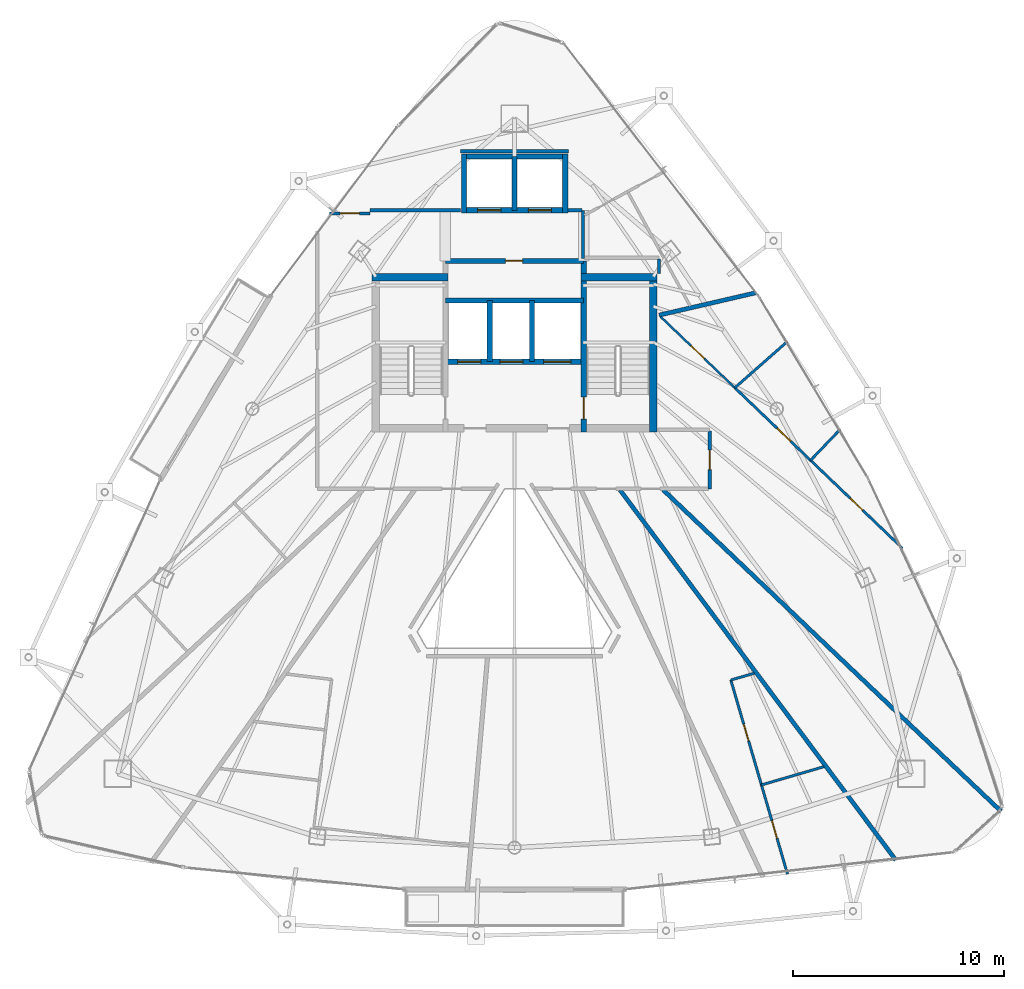
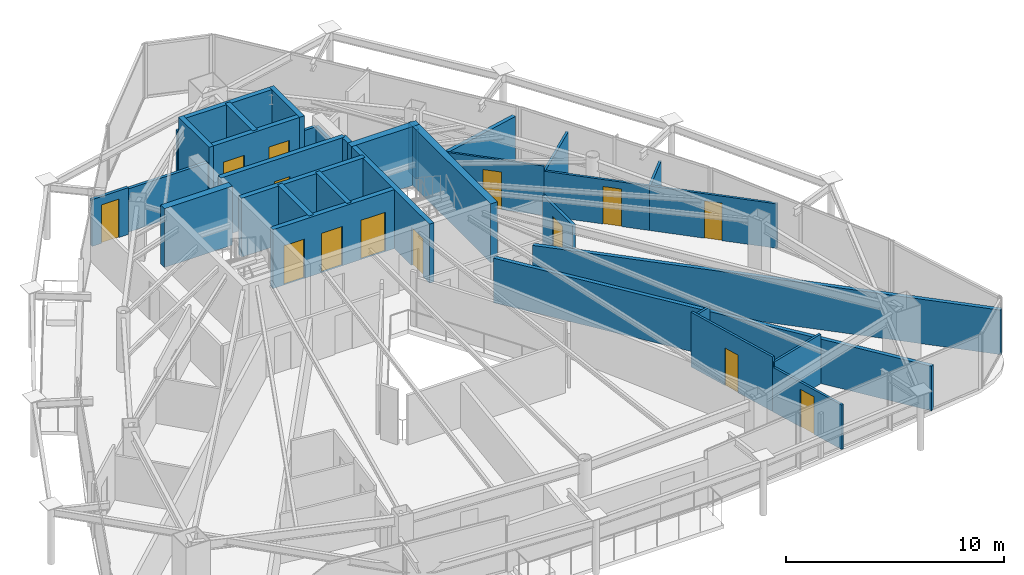
# One storey, part 28 of 32: 33 walls, 14 doors, 14 openings.
"""IFC4 building model written with IfcOpenShell, lengths in metres."""

from ifc_helpers import new_model, si_unit, direction, frame, frame_2d, origin, place, context, subcontext, project, spatial, rectangle, extrude, material, layer, layer_set, type_object, element, fill, save


model = new_model("IFC4")

# Units and contexts
model_context = context("Model", 3, precision=1e-05, world=origin(), true_north=direction((0.0, 1.0)))
body_context = subcontext(model_context, "Body", "Model", "MODEL_VIEW")
ifc_project = project(units=[si_unit("LENGTHUNIT", "METRE"), si_unit("AREAUNIT", "SQUARE_METRE"), si_unit("VOLUMEUNIT", "CUBIC_METRE"), si_unit("PLANEANGLEUNIT", "RADIAN"), si_unit("MASSUNIT", "GRAM", prefix="KILO")], contexts=[model_context])

# Site, building, storey
site_placement = place(None, origin())
site = spatial("IfcSite", under=ifc_project, at=site_placement, CompositionType="ELEMENT")
building_placement = place(site_placement, origin())
building = spatial("IfcBuilding", under=site, at=building_placement, Name="Orvanel Arch Residences", CompositionType="ELEMENT")
storey_placement = place(building_placement, frame((0.0, 0.0, 222.800048828125)))
storey = spatial("IfcBuildingStorey", under=building, at=storey_placement, Name="L63", CompositionType="ELEMENT", Elevation=222.800048828125)

# Wall, opening, door
ifc_material_1 = material(Name="Concrete N50 (50 MPa)", Category="concrete")
ifc_layer_1 = layer(ifc_material_1, 0.25)
ifc_layer_set_1 = layer_set([ifc_layer_1], Name="Concrete N50 (50 MPa)")
wall_type_1 = type_object("IfcWallType", Name="SW-CORE-250", PredefinedType="SHEAR", material=ifc_layer_set_1)
wall_1_placement = place(storey_placement, frame((36.27490234375, 26.550048828125, 0.0), z_axis=(0.0, 0.0, 1.0), x_axis=(0.0, 1.0, 0.0)))
wall_1 = element("IfcWall", 1, at=wall_1_placement, inside=storey, type_object=wall_type_1, Name="L63 East Inner Core Spine Shear Wall", PredefinedType="SHEAR", context=body_context, shape_type="SweptSolid", body=[
    extrude(rectangle(XDim=8.099853515625, YDim=0.25, at=frame_2d((4.0498046875, 0.0))), origin(), (0.0, 0.0, 1.0), 3.300048828125),
])
opening_1_placement = place(wall_1_placement, frame((0.60009765625, 0.0, 0.0)))
opening_1 = element("IfcOpeningElement", 2, at=opening_1_placement, cuts=wall_1, Name="Opening DF-120", PredefinedType="OPENING", context=body_context, shape_type="SweptSolid", body=[
    extrude(rectangle(XDim=1.050048828125, YDim=2.14990234375, at=frame_2d((0.52490234375, 1.074951171875))), frame((0.0, 0.135009765625, 0.0), z_axis=(0.0, -1.0, 0.0), x_axis=(1.0, 0.0, 0.0)), (0.0, 0.0, 1.0), 0.27001953125),
])
ifc_material_2 = material(Name="Galvanised steel fire-resisting door assembly", Category="steel")
door_type_1 = type_object("IfcDoorType", Name="DR-FD120-1050", OperationType="NOTDEFINED", PredefinedType="DOOR", material=ifc_material_2)
door_1_placement = place(opening_1_placement, origin())
door_1 = element("IfcDoor", 3, at=door_1_placement, inside=storey, type_object=door_type_1, Name="DR-L63-ST2 L63 Stair 2 Fire Door", OperationType="SINGLE_SWING_RIGHT", OverallHeight=2.14990234375, OverallWidth=1.050048828125, PredefinedType="DOOR", context=body_context, shape_type="SweptSolid", body=[
    extrude(rectangle(XDim=1.050048828125, YDim=2.14990234375, at=frame_2d((0.52490234375, 1.074951171875))), frame((0.0, 0.02490234375, 0.0), z_axis=(0.0, -1.0, 0.0), x_axis=(1.0, 0.0, 0.0)), (0.0, 0.0, 1.0), 0.050048828125),
])
fill(opening_1, door_1)

# Wall, openings, doors
wall_2_placement = place(storey_placement, frame((36.27490234375, 29.875, 0.0), z_axis=(0.0, 0.0, 1.0), x_axis=(-1.0, 0.0, 0.0)))
wall_2 = element("IfcWall", 4, at=wall_2_placement, inside=storey, type_object=wall_type_1, Name="L63 Emergency Lift Front Core Shear Wall", PredefinedType="SHEAR", context=body_context, shape_type="SweptSolid", body=[
    extrude(rectangle(XDim=6.5498046875, YDim=0.25, at=frame_2d((3.27490234375, 0.0))), origin(), (0.0, 0.0, 1.0), 3.300048828125),
])
opening_2_placement = place(wall_2_placement, frame((4.875, 0.0, 0.0)))
opening_2 = element("IfcOpeningElement", 5, at=opening_2_placement, cuts=wall_2, Name="Opening LD-110", PredefinedType="OPENING", context=body_context, shape_type="SweptSolid", body=[
    extrude(rectangle(XDim=1.10009765625, YDim=2.199951171875, at=frame_2d((0.550048828125, 1.10009765625))), frame((0.0, 0.135009765625, 0.0), z_axis=(0.0, -1.0, 0.0), x_axis=(1.0, 0.0, 0.0)), (0.0, 0.0, 1.0), 0.27001953125),
])
opening_3_placement = place(wall_2_placement, frame((2.875, 0.0, 0.0)))
opening_3 = element("IfcOpeningElement", 6, at=opening_3_placement, cuts=wall_2, Name="Opening LD-110", PredefinedType="OPENING", context=body_context, shape_type="SweptSolid", body=[
    extrude(rectangle(XDim=1.10009765625, YDim=2.199951171875, at=frame_2d((0.550048828125, 1.10009765625))), frame((0.0, 0.135009765625, 0.0), z_axis=(0.0, -1.0, 0.0), x_axis=(1.0, 0.0, 0.0)), (0.0, 0.0, 1.0), 0.27001953125),
])
opening_4_placement = place(wall_2_placement, frame((0.60009765625, 0.0, 0.0)))
opening_4 = element("IfcOpeningElement", 7, at=opening_4_placement, cuts=wall_2, Name="Opening LD-130", PredefinedType="OPENING", context=body_context, shape_type="SweptSolid", body=[
    extrude(rectangle(XDim=1.300048828125, YDim=2.199951171875, at=frame_2d((0.64990234375, 1.10009765625))), frame((0.0, 0.135009765625, 0.0), z_axis=(0.0, -1.0, 0.0), x_axis=(1.0, 0.0, 0.0)), (0.0, 0.0, 1.0), 0.27001953125),
])
door_type_2 = type_object("IfcDoorType", Name="DR-LFT-1100", OperationType="NOTDEFINED", PredefinedType="DOOR", material=ifc_material_2)
door_2_placement = place(opening_2_placement, origin())
door_2 = element("IfcDoor", 8, at=door_2_placement, inside=storey, type_object=door_type_2, Name="LD-F1-L63 L63 Lift F1 Sliding Landing Door", OperationType="DOUBLE_DOOR_SLIDING", OverallHeight=2.199951171875, OverallWidth=1.10009765625, PredefinedType="DOOR", context=body_context, shape_type="SweptSolid", body=[
    extrude(rectangle(XDim=1.10009765625, YDim=2.199951171875, at=frame_2d((0.550048828125, 1.10009765625))), frame((0.0, 0.02490234375, 0.0), z_axis=(0.0, -1.0, 0.0), x_axis=(1.0, 0.0, 0.0)), (0.0, 0.0, 1.0), 0.050048828125),
])
fill(opening_2, door_2)
door_3_placement = place(opening_3_placement, origin())
door_3 = element("IfcDoor", 9, at=door_3_placement, inside=storey, type_object=door_type_2, Name="LD-F2-L63 L63 Lift F2 Sliding Landing Door", OperationType="DOUBLE_DOOR_SLIDING", OverallHeight=2.199951171875, OverallWidth=1.10009765625, PredefinedType="DOOR", context=body_context, shape_type="SweptSolid", body=[
    extrude(rectangle(XDim=1.10009765625, YDim=2.199951171875, at=frame_2d((0.550048828125, 1.10009765625))), frame((0.0, 0.02490234375, 0.0), z_axis=(0.0, -1.0, 0.0), x_axis=(1.0, 0.0, 0.0)), (0.0, 0.0, 1.0), 0.050048828125),
])
fill(opening_3, door_3)
door_type_3 = type_object("IfcDoorType", Name="DR-LFT-1300", OperationType="NOTDEFINED", PredefinedType="DOOR", material=ifc_material_2)
door_4_placement = place(opening_4_placement, origin())
door_4 = element("IfcDoor", 10, at=door_4_placement, inside=storey, type_object=door_type_3, Name="LD-G1-L63 L63 Lift G1 Sliding Landing Door", OperationType="DOUBLE_DOOR_SLIDING", OverallHeight=2.199951171875, OverallWidth=1.300048828125, PredefinedType="DOOR", context=body_context, shape_type="SweptSolid", body=[
    extrude(rectangle(XDim=1.300048828125, YDim=2.199951171875, at=frame_2d((0.64990234375, 1.10009765625))), frame((0.0, 0.02490234375, 0.0), z_axis=(0.0, -1.0, 0.0), x_axis=(1.0, 0.0, 0.0)), (0.0, 0.0, 1.0), 0.050048828125),
])
fill(opening_4, door_4)

# Walls
wall_3_placement = place(storey_placement, frame((29.72509765625, 32.77490234375, 0.0), z_axis=(0.0, 0.0, 1.0), x_axis=(1.0, 0.0, 0.0)))
element("IfcWall", 11, at=wall_3_placement, inside=storey, type_object=wall_type_1, Name="L63 Emergency Lift Back Core Shear Wall", PredefinedType="SHEAR", context=body_context, shape_type="SweptSolid", body=[
    extrude(rectangle(XDim=6.5498046875, YDim=0.25, at=frame_2d((3.27490234375, 0.0))), origin(), (0.0, 0.0, 1.0), 3.300048828125),
])
for number, where, z_axis, x_axis, name in (
    (12, (31.824951171875, 29.875, 0.0), (0.0, 0.0, 1.0), (0.0, 1.0, 0.0), "L63 Emergency Lift Inter-Shaft Wall F12"),
    (13, (33.824951171875, 29.875, 0.0), (0.0, 0.0, 1.0), (0.0, 1.0, 0.0), "L63 Emergency Lift Inter-Shaft Wall F2G"),
):
    element("IfcWall", number, at=place(storey_placement, frame(where, z_axis=z_axis, x_axis=x_axis)), inside=storey, type_object=wall_type_1, Name=name, PredefinedType="SHEAR", context=body_context, shape_type="SweptSolid", body=[
        extrude(rectangle(XDim=2.89990234375, YDim=0.25, at=frame_2d((1.449951171875, 0.0))), origin(), (0.0, 0.0, 1.0), 3.300048828125),
    ])

# Wall, opening, door
wall_4_placement = place(storey_placement, frame((29.72509765625, 34.64990234375, 0.0), z_axis=(0.0, 0.0, 1.0), x_axis=(1.0, 0.0, 0.0)))
wall_4 = element("IfcWall", 14, at=wall_4_placement, inside=storey, type_object=wall_type_1, Name="L63 Core Service Band North Shear Wall", PredefinedType="SHEAR", context=body_context, shape_type="SweptSolid", body=[
    extrude(rectangle(XDim=6.5498046875, YDim=0.25, at=frame_2d((3.27490234375, 0.0))), origin(), (0.0, 0.0, 1.0), 3.300048828125),
])
opening_5_placement = place(wall_4_placement, frame((2.840087890625, 0.0, 0.0)))
opening_5 = element("IfcOpeningElement", 15, at=opening_5_placement, cuts=wall_4, Name="Opening DS-082", PredefinedType="OPENING", context=body_context, shape_type="SweptSolid", body=[
    extrude(rectangle(XDim=0.820068359375, YDim=2.10009765625, at=frame_2d((0.41015625, 1.050048828125))), frame((0.0, 0.135009765625, 0.0), z_axis=(0.0, -1.0, 0.0), x_axis=(1.0, 0.0, 0.0)), (0.0, 0.0, 1.0), 0.27001953125),
])
door_type_4 = type_object("IfcDoorType", Name="DR-SVC-820", OperationType="NOTDEFINED", PredefinedType="DOOR", material=ifc_material_2)
door_5_placement = place(opening_5_placement, origin())
door_5 = element("IfcDoor", 16, at=door_5_placement, inside=storey, type_object=door_type_4, Name="DR-L63-CSVC-1 L63 Housekeeping Linen Store Door", OperationType="SINGLE_SWING_LEFT", OverallHeight=2.10009765625, OverallWidth=0.820068359375, PredefinedType="DOOR", context=body_context, shape_type="SweptSolid", body=[
    extrude(rectangle(XDim=0.820068359375, YDim=2.10009765625, at=frame_2d((0.41015625, 1.050048828125))), frame((0.0, 0.02490234375, 0.0), z_axis=(0.0, -1.0, 0.0), x_axis=(1.0, 0.0, 0.0)), (0.0, 0.0, 1.0), 0.050048828125),
])
fill(opening_5, door_5)

# Wall, openings, doors
wall_5_placement = place(storey_placement, frame((35.52490234375, 37.050048828125, 0.0), z_axis=(0.0, 0.0, 1.0), x_axis=(-1.0, 0.0, 0.0)))
wall_5 = element("IfcWall", 17, at=wall_5_placement, inside=storey, type_object=wall_type_1, Name="L63 Passenger Lift Bank Front Shear Wall", PredefinedType="SHEAR", context=body_context, shape_type="SweptSolid", body=[
    extrude(rectangle(XDim=5.0498046875, YDim=0.25, at=frame_2d((2.52490234375, 0.0))), origin(), (0.0, 0.0, 1.0), 3.300048828125),
])
opening_6_placement = place(wall_5_placement, frame((3.175048828125, 0.0, 0.0)))
opening_6 = element("IfcOpeningElement", 18, at=opening_6_placement, cuts=wall_5, Name="Opening LD-110", PredefinedType="OPENING", context=body_context, shape_type="SweptSolid", body=[
    extrude(rectangle(XDim=1.10009765625, YDim=2.199951171875, at=frame_2d((0.550048828125, 1.10009765625))), frame((0.0, 0.135009765625, 0.0), z_axis=(0.0, -1.0, 0.0), x_axis=(1.0, 0.0, 0.0)), (0.0, 0.0, 1.0), 0.27001953125),
])
opening_7_placement = place(wall_5_placement, frame((0.77490234375, 0.0, 0.0)))
opening_7 = element("IfcOpeningElement", 19, at=opening_7_placement, cuts=wall_5, Name="Opening LD-110", PredefinedType="OPENING", context=body_context, shape_type="SweptSolid", body=[
    extrude(rectangle(XDim=1.10009765625, YDim=2.199951171875, at=frame_2d((0.550048828125, 1.10009765625))), frame((0.0, 0.135009765625, 0.0), z_axis=(0.0, -1.0, 0.0), x_axis=(1.0, 0.0, 0.0)), (0.0, 0.0, 1.0), 0.27001953125),
])
door_6_placement = place(opening_6_placement, origin())
door_6 = element("IfcDoor", 20, at=door_6_placement, inside=storey, type_object=door_type_2, Name="LD-P5-L63 L63 Passenger Lift P5 Sliding Landing Door", OperationType="DOUBLE_DOOR_SLIDING", OverallHeight=2.199951171875, OverallWidth=1.10009765625, PredefinedType="DOOR", context=body_context, shape_type="SweptSolid", body=[
    extrude(rectangle(XDim=1.10009765625, YDim=2.199951171875, at=frame_2d((0.550048828125, 1.10009765625))), frame((0.0, 0.02490234375, 0.0), z_axis=(0.0, -1.0, 0.0), x_axis=(1.0, 0.0, 0.0)), (0.0, 0.0, 1.0), 0.050048828125),
])
fill(opening_6, door_6)
door_7_placement = place(opening_7_placement, origin())
door_7 = element("IfcDoor", 21, at=door_7_placement, inside=storey, type_object=door_type_2, Name="LD-P6-L63 L63 Passenger Lift P6 Sliding Landing Door", OperationType="DOUBLE_DOOR_SLIDING", OverallHeight=2.199951171875, OverallWidth=1.10009765625, PredefinedType="DOOR", context=body_context, shape_type="SweptSolid", body=[
    extrude(rectangle(XDim=1.10009765625, YDim=2.199951171875, at=frame_2d((0.550048828125, 1.10009765625))), frame((0.0, 0.02490234375, 0.0), z_axis=(0.0, -1.0, 0.0), x_axis=(1.0, 0.0, 0.0)), (0.0, 0.0, 1.0), 0.050048828125),
])
fill(opening_7, door_7)

# Walls
wall_6_placement = place(storey_placement, frame((30.47509765625, 39.60009765625, 0.0), z_axis=(0.0, 0.0, 1.0), x_axis=(1.0, 0.0, 0.0)))
element("IfcWall", 22, at=wall_6_placement, inside=storey, type_object=wall_type_1, Name="L63 Passenger Lift Bank North Shear Wall", PredefinedType="SHEAR", context=body_context, shape_type="SweptSolid", body=[
    extrude(rectangle(XDim=5.0498046875, YDim=0.25, at=frame_2d((2.52490234375, 0.0))), origin(), (0.0, 0.0, 1.0), 3.300048828125),
])
for number, where, z_axis, x_axis, name in (
    (23, (30.60009765625, 36.925048828125, 0.0), (0.0, 0.0, 1.0), (0.0, 1.0, 0.0), "L63 Passenger Lift Bank West Shear Wall"),
    (24, (35.39990234375, 36.925048828125, 0.0), (0.0, 0.0, 1.0), (0.0, 1.0, 0.0), "L63 Passenger Lift Bank East Shear Wall"),
):
    element("IfcWall", number, at=place(storey_placement, frame(where, z_axis=z_axis, x_axis=x_axis)), inside=storey, type_object=wall_type_1, Name=name, PredefinedType="SHEAR", context=body_context, shape_type="SweptSolid", body=[
        extrude(rectangle(XDim=2.800048828125, YDim=0.25, at=frame_2d((1.39990234375, 0.0))), origin(), (0.0, 0.0, 1.0), 3.300048828125),
    ])
wall_7_placement = place(storey_placement, frame((33.0, 37.050048828125, 0.0), z_axis=(0.0, 0.0, 1.0), x_axis=(0.0, 1.0, 0.0)))
element("IfcWall", 25, at=wall_7_placement, inside=storey, type_object=wall_type_1, Name="L63 Passenger Lift Inter-Shaft Wall P56", PredefinedType="SHEAR", context=body_context, shape_type="SweptSolid", body=[
    extrude(rectangle(XDim=2.550048828125, YDim=0.25, at=frame_2d((1.27490234375, 0.0))), origin(), (0.0, 0.0, 1.0), 3.300048828125),
])
ifc_layer_2 = layer(ifc_material_1, 0.35009765625)
ifc_layer_set_2 = layer_set([ifc_layer_2], Name="Concrete N50 (50 MPa)")
wall_type_2 = type_object("IfcWallType", Name="SW-CORE-350", PredefinedType="SHEAR", material=ifc_layer_set_2)
wall_8_placement = place(storey_placement, frame((26.25, 33.875, 0.0), z_axis=(0.0, 0.0, 1.0), x_axis=(1.0, 0.0, 0.0)))
element("IfcWall", 26, at=wall_8_placement, inside=storey, type_object=wall_type_2, Name="L63 West Stair North Shear Wall", PredefinedType="SHEAR", context=body_context, shape_type="SweptSolid", body=[
    extrude(rectangle(XDim=3.60009765625, YDim=0.35009765625, at=frame_2d((1.800048828125, 0.0))), origin(), (0.0, 0.0, 1.0), 3.300048828125),
])
wall_9_placement = place(storey_placement, frame((39.574951171875, 26.550048828125, 0.0), z_axis=(0.0, 0.0, 1.0), x_axis=(0.0, 1.0, 0.0)))
element("IfcWall", 27, at=wall_9_placement, inside=storey, type_object=wall_type_2, Name="L63 East Stair Shear Wall", PredefinedType="SHEAR", context=body_context, shape_type="SweptSolid", body=[
    extrude(rectangle(XDim=7.5, YDim=0.35009765625, at=frame_2d((3.75, 0.0))), origin(), (0.0, 0.0, 1.0), 3.300048828125),
])
wall_10_placement = place(storey_placement, frame((36.14990234375, 33.875, 0.0), z_axis=(0.0, 0.0, 1.0), x_axis=(1.0, 0.0, 0.0)))
element("IfcWall", 28, at=wall_10_placement, inside=storey, type_object=wall_type_2, Name="L63 East Stair North Shear Wall", PredefinedType="SHEAR", context=body_context, shape_type="SweptSolid", body=[
    extrude(rectangle(XDim=3.60009765625, YDim=0.35009765625, at=frame_2d((1.800048828125, 0.0))), origin(), (0.0, 0.0, 1.0), 3.300048828125),
])
ifc_material_3 = material(Name="Fire-rated plasterboard lined steel stud partition", Category="steel")
ifc_layer_3 = layer(ifc_material_3, 0.14990234375)
ifc_layer_set_3 = layer_set([ifc_layer_3], Name="Fire-rated plasterboard lined steel stud partition")
wall_type_3 = type_object("IfcWallType", Name="W-COR-150", PredefinedType="PARTITIONING", material=ifc_layer_set_3)
wall_11_placement = place(storey_placement, frame((36.25, 34.760009765625, 0.0), z_axis=(0.0, 0.0, 1.0), x_axis=(0.0, 1.0, 0.0)))
element("IfcWall", 29, at=wall_11_placement, inside=storey, type_object=wall_type_3, Name="L63 Passenger Lift Lobby East Closure Wall", PredefinedType="PARTITIONING", context=body_context, shape_type="SweptSolid", body=[
    extrude(rectangle(XDim=2.2900390625, YDim=0.14990234375, at=frame_2d((1.14501953125, 0.0))), origin(), (0.0, 0.0, 1.0), 2.425048828125),
])
wall_12_placement = place(storey_placement, frame((35.52490234375, 37.050048828125, 0.0), z_axis=(0.0, 0.0, 1.0), x_axis=(1.0, 0.0, 0.0)))
element("IfcWall", 30, at=wall_12_placement, inside=storey, type_object=wall_type_3, Name="L63 Passenger Lift Lobby North-East Wall", PredefinedType="PARTITIONING", context=body_context, shape_type="SweptSolid", body=[
    extrude(rectangle(XDim=0.6650390625, YDim=0.14990234375, at=frame_2d((0.33251953125, 0.0))), origin(), (0.0, 0.0, 1.0), 2.425048828125),
])

# Wall, opening, door
wall_13_placement = place(storey_placement, frame((24.22607421875, 36.89990234375, 0.0), z_axis=(0.0, 0.0, 1.0), x_axis=(1.0, 0.0, 0.0)))
wall_13 = element("IfcWall", 31, at=wall_13_placement, inside=storey, type_object=wall_type_3, Name="L63 Corridor Fire-Rated Partition", PredefinedType="PARTITIONING", context=body_context, shape_type="SweptSolid", body=[
    extrude(rectangle(XDim=1.923828125, YDim=0.14990234375, at=frame_2d((0.9619140625, 0.0))), origin(), (0.0, 0.0, 1.0), 2.618896484375),
])
opening_8_placement = place(wall_13_placement, frame((0.501953125, 0.0, 0.0)))
opening_8 = element("IfcOpeningElement", 32, at=opening_8_placement, cuts=wall_13, Name="Opening DA-092", PredefinedType="OPENING", context=body_context, shape_type="SweptSolid", body=[
    extrude(rectangle(XDim=0.919921875, YDim=2.14990234375, at=frame_2d((0.4599609375, 1.074951171875))), frame((0.0, 0.0849609375, 0.0), z_axis=(0.0, -1.0, 0.0), x_axis=(1.0, 0.0, 0.0)), (0.0, 0.0, 1.0), 0.169921875),
])
ifc_material_4 = material(Name="Solid-core European oak veneer fire door leaf", Category="wood")
door_type_5 = type_object("IfcDoorType", Name="DR-APT-920", OperationType="NOTDEFINED", PredefinedType="DOOR", material=ifc_material_4)
door_8_placement = place(opening_8_placement, origin())
door_8 = element("IfcDoor", 33, at=door_8_placement, inside=storey, type_object=door_type_5, Name="DR-L63-E-ENT L63 Studio E Entrance Door", OperationType="SINGLE_SWING_RIGHT", OverallHeight=2.14990234375, OverallWidth=0.919921875, PredefinedType="DOOR", context=body_context, shape_type="SweptSolid", body=[
    extrude(rectangle(XDim=0.919921875, YDim=2.14990234375, at=frame_2d((0.4599609375, 1.074951171875))), frame((0.0, 0.02490234375, 0.0), z_axis=(0.0, -1.0, 0.0), x_axis=(1.0, 0.0, 0.0)), (0.0, 0.0, 1.0), 0.050048828125),
])
fill(opening_8, door_8)

wall_14_placement = place(storey_placement, frame((42.25, 26.590087890625, 0.0), z_axis=(0.0, 0.0, 1.0), x_axis=(0.0, -1.0, 0.0)))
wall_14 = element("IfcWall", 34, at=wall_14_placement, inside=storey, type_object=wall_type_3, Name="L63 Corridor Fire-Rated Partition", PredefinedType="PARTITIONING", context=body_context, shape_type="SweptSolid", body=[
    extrude(rectangle(XDim=2.739990234375, YDim=0.14990234375, at=frame_2d((1.3701171875, 0.0))), origin(), (0.0, 0.0, 1.0), 2.77294921875),
])
opening_9_placement = place(wall_14_placement, frame((0.909912109375, 0.0, 0.0)))
opening_9 = element("IfcOpeningElement", 35, at=opening_9_placement, cuts=wall_14, Name="Opening DA-092", PredefinedType="OPENING", context=body_context, shape_type="SweptSolid", body=[
    extrude(rectangle(XDim=0.919921875, YDim=2.14990234375, at=frame_2d((0.4599609375, 1.074951171875))), frame((0.0, 0.0849609375, 0.0), z_axis=(0.0, -1.0, 0.0), x_axis=(1.0, 0.0, 0.0)), (0.0, 0.0, 1.0), 0.169921875),
])
door_9_placement = place(opening_9_placement, origin())
door_9 = element("IfcDoor", 36, at=door_9_placement, inside=storey, type_object=door_type_5, Name="DR-L63-B-ENT L63 Studio B Entrance Door", OperationType="SINGLE_SWING_LEFT", OverallHeight=2.14990234375, OverallWidth=0.919921875, PredefinedType="DOOR", context=body_context, shape_type="SweptSolid", body=[
    extrude(rectangle(XDim=0.919921875, YDim=2.14990234375, at=frame_2d((0.4599609375, 1.074951171875))), frame((0.0, 0.02490234375, 0.0), z_axis=(0.0, -1.0, 0.0), x_axis=(1.0, 0.0, 0.0)), (0.0, 0.0, 1.0), 0.050048828125),
])
fill(opening_9, door_9)

# Walls
wall_15_placement = place(storey_placement, frame((26.14990234375, 37.050048828125, 0.0), z_axis=(0.0, 0.0, 1.0), x_axis=(1.0, 0.0, 0.0)))
element("IfcWall", 37, at=wall_15_placement, inside=storey, type_object=wall_type_3, Name="L63 Core Perimeter Partition", PredefinedType="PARTITIONING", context=body_context, shape_type="SweptSolid", body=[
    extrude(rectangle(XDim=4.300048828125, YDim=0.14990234375, at=frame_2d((2.14990234375, 0.0))), origin(), (0.0, 0.0, 1.0), 2.425048828125),
])
wall_16_placement = place(storey_placement, frame((30.449951171875, 39.85009765625, 0.0), z_axis=(0.0, 0.0, 1.0), x_axis=(1.0, 0.0, 0.0)))
element("IfcWall", 38, at=wall_16_placement, inside=storey, type_object=wall_type_3, Name="L63 Core Perimeter Partition", PredefinedType="PARTITIONING", context=body_context, shape_type="SweptSolid", body=[
    extrude(rectangle(XDim=5.10009765625, YDim=0.14990234375, at=frame_2d((2.550048828125, 0.0))), origin(), (0.0, 0.0, 1.0), 2.491943359375),
])
wall_17_placement = place(storey_placement, frame((39.85009765625, 34.739990234375, 0.0), z_axis=(0.0, 0.0, 1.0), x_axis=(0.0, -1.0, 0.0)))
element("IfcWall", 39, at=wall_17_placement, inside=storey, type_object=wall_type_3, Name="L63 Core Perimeter Partition", PredefinedType="PARTITIONING", context=body_context, shape_type="SweptSolid", body=[
    extrude(rectangle(XDim=0.68994140625, YDim=0.14990234375, at=frame_2d((0.344970703125, 0.0))), origin(), (0.0, 0.0, 1.0), 2.77294921875),
])
ifc_layer_4 = layer(ifc_material_3, 0.199951171875)
ifc_layer_set_4 = layer_set([ifc_layer_4], Name="Fire-rated plasterboard lined steel stud partition")
wall_type_4 = type_object("IfcWallType", Name="W-DEM-200", PredefinedType="PARTITIONING", material=ifc_layer_set_4)
wall_18_placement = place(storey_placement, frame((39.85009765625, 32.0810546875, 0.0), z_axis=(0.0, 0.0, 1.0), x_axis=(0.974339670333, 0.225082666628, 0.0)))
element("IfcWall", 40, at=wall_18_placement, inside=storey, type_object=wall_type_4, Name="L63 Inter-Tenancy Acoustic Demising Wall", PredefinedType="PARTITIONING", context=body_context, shape_type="SweptSolid", body=[
    extrude(rectangle(XDim=4.7138671875, YDim=0.199951171875, at=frame_2d((2.35693359375, 0.0))), origin(), (0.0, 0.0, 1.0), 2.491943359375),
])
wall_19_placement = place(storey_placement, frame((56.05908203125, 8.56298828125, 0.0), z_axis=(0.0, 0.0, 1.0), x_axis=(-0.724518891706, 0.689254942355, 0.0)))
element("IfcWall", 41, at=wall_19_placement, inside=storey, type_object=wall_type_4, Name="L63 Inter-Tenancy Acoustic Demising Wall", PredefinedType="PARTITIONING", context=body_context, shape_type="SweptSolid", body=[
    extrude(rectangle(XDim=22.092041015625, YDim=0.199951171875, at=frame_2d((11.0458984375, 0.0))), origin(), (0.0, 0.0, 1.0), 2.491943359375),
])
wall_20_placement = place(storey_placement, frame((51.072021484375, 6.2509765625, 0.0), z_axis=(0.0, 0.0, 1.0), x_axis=(-0.59756139073, 0.801823162742, 0.0)))
element("IfcWall", 42, at=wall_20_placement, inside=storey, type_object=wall_type_4, Name="L63 Inter-Tenancy Acoustic Demising Wall", PredefinedType="PARTITIONING", context=body_context, shape_type="SweptSolid", body=[
    extrude(rectangle(XDim=21.8740234375, YDim=0.199951171875, at=frame_2d((10.93701171875, 0.0))), origin(), (0.0, 0.0, 1.0), 2.491943359375),
])

# Wall, opening, door
ifc_material_5 = material(Name="Acoustic plasterboard lined twin-stud partition", Category="gypsum")
ifc_layer_5 = layer(ifc_material_5, 0.10009765625)
ifc_layer_set_5 = layer_set([ifc_layer_5], Name="Acoustic plasterboard lined twin-stud partition")
wall_type_5 = type_object("IfcWallType", Name="W-INT-100", PredefinedType="PARTITIONING", material=ifc_layer_set_5)
wall_21_placement = place(storey_placement, frame((39.91796875, 32.010009765625, 0.0), z_axis=(0.0, 0.0, 1.0), x_axis=(0.722311203135, -0.691568164266, 0.0)))
wall_21 = element("IfcWall", 43, at=wall_21_placement, inside=storey, type_object=wall_type_5, Name="L63 Studio B Internal Partition", PredefinedType="PARTITIONING", context=body_context, shape_type="SweptSolid", body=[
    extrude(rectangle(XDim=4.8759765625, YDim=0.10009765625, at=frame_2d((2.43798828125, 0.0))), origin(), (0.0, 0.0, 1.0), 2.77294921875),
])
opening_10_placement = place(wall_21_placement, frame((1.998046875, 0.0, 0.0)))
opening_10 = element("IfcOpeningElement", 44, at=opening_10_placement, cuts=wall_21, Name="Opening DI-088", PredefinedType="OPENING", context=body_context, shape_type="SweptSolid", body=[
    extrude(rectangle(XDim=0.8798828125, YDim=2.10009765625, at=frame_2d((0.43994140625, 1.050048828125))), frame((0.0, 0.06005859375, 0.0), z_axis=(0.0, -1.0, 0.0), x_axis=(1.0, 0.0, 0.0)), (0.0, 0.0, 1.0), 0.1201171875),
])
door_type_6 = type_object("IfcDoorType", Name="DR-INT-880", OperationType="NOTDEFINED", PredefinedType="DOOR", material=ifc_material_4)
door_10_placement = place(opening_10_placement, origin())
door_10 = element("IfcDoor", 45, at=door_10_placement, inside=storey, type_object=door_type_6, Name="DR-L63-B-AME1 L63 Studio B Resident Reading Library 1 Door", OperationType="SINGLE_SWING_LEFT", OverallHeight=2.10009765625, OverallWidth=0.8798828125, PredefinedType="DOOR", context=body_context, shape_type="SweptSolid", body=[
    extrude(rectangle(XDim=0.8798828125, YDim=2.10009765625, at=frame_2d((0.43994140625, 1.050048828125))), frame((0.0, 0.02490234375, 0.0), z_axis=(0.0, -1.0, 0.0), x_axis=(1.0, 0.0, 0.0)), (0.0, 0.0, 1.0), 0.050048828125),
])
fill(opening_10, door_10)

ifc_layer_6 = layer(ifc_material_5, 0.1201171875)
ifc_layer_set_6 = layer_set([ifc_layer_6], Name="Acoustic plasterboard lined twin-stud partition")
wall_type_6 = type_object("IfcWallType", Name="W-WET-120", PredefinedType="PARTITIONING", material=ifc_layer_set_6)
wall_22_placement = place(storey_placement, frame((47.030029296875, 25.199951171875, 0.0), z_axis=(0.0, 0.0, 1.0), x_axis=(0.722345830301, -0.691531995968, 0.0)))
wall_22 = element("IfcWall", 46, at=wall_22_placement, inside=storey, type_object=wall_type_6, Name="L63 Studio B Bathroom Partition", PredefinedType="PARTITIONING", context=body_context, shape_type="SweptSolid", body=[
    extrude(rectangle(XDim=6.037353515625, YDim=0.1201171875, at=frame_2d((3.0185546875, 0.0))), origin(), (0.0, 0.0, 1.0), 2.491943359375),
])
opening_11_placement = place(wall_22_placement, frame((2.60888671875, 0.0, 0.0)))
opening_11 = element("IfcOpeningElement", 47, at=opening_11_placement, cuts=wall_22, Name="Opening DW-082", PredefinedType="OPENING", context=body_context, shape_type="SweptSolid", body=[
    extrude(rectangle(XDim=0.820068359375, YDim=2.10009765625, at=frame_2d((0.41015625, 1.050048828125))), frame((0.0, 0.070068359375, 0.0), z_axis=(0.0, -1.0, 0.0), x_axis=(1.0, 0.0, 0.0)), (0.0, 0.0, 1.0), 0.14013671875),
])
door_type_7 = type_object("IfcDoorType", Name="DR-WET-820", OperationType="NOTDEFINED", PredefinedType="DOOR", material=ifc_material_4)
door_11_placement = place(opening_11_placement, origin())
door_11 = element("IfcDoor", 48, at=door_11_placement, inside=storey, type_object=door_type_7, Name="DR-L63-B-BATH L63 Studio B Bathroom Door", OperationType="SINGLE_SWING_RIGHT", OverallHeight=2.10009765625, OverallWidth=0.820068359375, PredefinedType="DOOR", context=body_context, shape_type="SweptSolid", body=[
    extrude(rectangle(XDim=0.820068359375, YDim=2.10009765625, at=frame_2d((0.41015625, 1.050048828125))), frame((0.0, 0.02490234375, 0.0), z_axis=(0.0, -1.0, 0.0), x_axis=(1.0, 0.0, 0.0)), (0.0, 0.0, 1.0), 0.050048828125),
])
fill(opening_11, door_11)

wall_23_placement = place(storey_placement, frame((43.43994140625, 28.637939453125, 0.0), z_axis=(0.0, 0.0, 1.0), x_axis=(0.722240667523, -0.691641827954, 0.0)))
wall_23 = element("IfcWall", 49, at=wall_23_placement, inside=storey, type_object=wall_type_6, Name="L63 Studio B Internal Partition", PredefinedType="PARTITIONING", context=body_context, shape_type="SweptSolid", body=[
    extrude(rectangle(XDim=4.970703125, YDim=0.1201171875, at=frame_2d((2.4853515625, 0.0))), origin(), (0.0, 0.0, 1.0), 2.491943359375),
])
opening_12_placement = place(wall_23_placement, frame((2.784912109375, 0.0, 0.0)))
opening_12 = element("IfcOpeningElement", 50, at=opening_12_placement, cuts=wall_23, Name="Opening DI-088", PredefinedType="OPENING", context=body_context, shape_type="SweptSolid", body=[
    extrude(rectangle(XDim=0.8798828125, YDim=2.10009765625, at=frame_2d((0.43994140625, 1.050048828125))), frame((0.0, 0.070068359375, 0.0), z_axis=(0.0, -1.0, 0.0), x_axis=(1.0, 0.0, 0.0)), (0.0, 0.0, 1.0), 0.14013671875),
])
door_12_placement = place(opening_12_placement, origin())
door_12 = element("IfcDoor", 51, at=door_12_placement, inside=storey, type_object=door_type_6, Name="DR-L63-B-KIT L63 Studio B Kitchenette Door", OperationType="SINGLE_SWING_LEFT", OverallHeight=2.10009765625, OverallWidth=0.8798828125, PredefinedType="DOOR", context=body_context, shape_type="SweptSolid", body=[
    extrude(rectangle(XDim=0.8798828125, YDim=2.10009765625, at=frame_2d((0.43994140625, 1.050048828125))), frame((0.0, 0.02490234375, 0.0), z_axis=(0.0, -1.0, 0.0), x_axis=(1.0, 0.0, 0.0)), (0.0, 0.0, 1.0), 0.050048828125),
])
fill(opening_12, door_12)

# Walls
wall_24_placement = place(storey_placement, frame((47.030029296875, 25.199951171875, 0.0), z_axis=(0.0, 0.0, 1.0), x_axis=(0.691459612883, 0.722415118717, 0.0)))
element("IfcWall", 52, at=wall_24_placement, inside=storey, type_object=wall_type_6, Name="L63 Studio B Bathroom Partition", PredefinedType="PARTITIONING", context=body_context, shape_type="SweptSolid", body=[
    extrude(rectangle(XDim=2.034912109375, YDim=0.1201171875, at=frame_2d((1.017578125, 0.0))), origin(), (0.0, 0.0, 1.0), 2.491943359375),
])
wall_25_placement = place(storey_placement, frame((43.43994140625, 28.637939453125, 0.0), z_axis=(0.0, 0.0, 1.0), x_axis=(0.750679989093, 0.66066599275, 0.0)))
element("IfcWall", 53, at=wall_25_placement, inside=storey, type_object=wall_type_6, Name="L63 Studio B Internal Partition", PredefinedType="PARTITIONING", context=body_context, shape_type="SweptSolid", body=[
    extrude(rectangle(XDim=3.322509765625, YDim=0.1201171875, at=frame_2d((1.6611328125, 0.0))), origin(), (0.0, 0.0, 1.0), 2.491943359375),
])
wall_26_placement = place(storey_placement, frame((44.363037109375, 15.110107421875, 0.0), z_axis=(0.0, 0.0, 1.0), x_axis=(-0.960030681494, -0.279894784857, 0.0)))
element("IfcWall", 54, at=wall_26_placement, inside=storey, type_object=wall_type_6, Name="L63 Studio H Bathroom Partition", PredefinedType="PARTITIONING", context=body_context, shape_type="SweptSolid", body=[
    extrude(rectangle(XDim=1.158447265625, YDim=0.1201171875, at=frame_2d((0.5791015625, 0.0))), origin(), (0.0, 0.0, 1.0), 2.77294921875),
])

# Wall, opening, door
wall_27_placement = place(storey_placement, frame((43.2509765625, 14.785888671875, 0.0), z_axis=(0.0, 0.0, 1.0), x_axis=(0.280190088139, -0.959944537204, 0.0)))
wall_27 = element("IfcWall", 55, at=wall_27_placement, inside=storey, type_object=wall_type_6, Name="L63 Studio H Bathroom Partition", PredefinedType="PARTITIONING", context=body_context, shape_type="SweptSolid", body=[
    extrude(rectangle(XDim=5.178466796875, YDim=0.1201171875, at=frame_2d((2.58935546875, 0.0))), origin(), (0.0, 0.0, 1.0), 3.06005859375),
])
opening_13_placement = place(wall_27_placement, frame((2.178955078125, 0.0, 0.0)))
opening_13 = element("IfcOpeningElement", 56, at=opening_13_placement, cuts=wall_27, Name="Opening DW-082", PredefinedType="OPENING", context=body_context, shape_type="SweptSolid", body=[
    extrude(rectangle(XDim=0.820068359375, YDim=2.10009765625, at=frame_2d((0.41015625, 1.050048828125))), frame((0.0, 0.070068359375, 0.0), z_axis=(0.0, -1.0, 0.0), x_axis=(1.0, 0.0, 0.0)), (0.0, 0.0, 1.0), 0.14013671875),
])
door_13_placement = place(opening_13_placement, origin())
door_13 = element("IfcDoor", 57, at=door_13_placement, inside=storey, type_object=door_type_7, Name="DR-L63-H-BATH L63 Studio H Bathroom Door", OperationType="SINGLE_SWING_RIGHT", OverallHeight=2.10009765625, OverallWidth=0.820068359375, PredefinedType="DOOR", context=body_context, shape_type="SweptSolid", body=[
    extrude(rectangle(XDim=0.820068359375, YDim=2.10009765625, at=frame_2d((0.41015625, 1.050048828125))), frame((0.0, 0.02490234375, 0.0), z_axis=(0.0, -1.0, 0.0), x_axis=(1.0, 0.0, 0.0)), (0.0, 0.0, 1.0), 0.050048828125),
])
fill(opening_13, door_13)

wall_28_placement = place(storey_placement, frame((44.701904296875, 9.81494140625, 0.0), z_axis=(0.0, 0.0, 1.0), x_axis=(0.28033432121, -0.959902426474, 0.0)))
wall_28 = element("IfcWall", 58, at=wall_28_placement, inside=storey, type_object=wall_type_6, Name="L63 Studio H Internal Partition", PredefinedType="PARTITIONING", context=body_context, shape_type="SweptSolid", body=[
    extrude(rectangle(XDim=4.40234375, YDim=0.1201171875, at=frame_2d((2.201171875, 0.0))), origin(), (0.0, 0.0, 1.0), 2.491943359375),
])
opening_14_placement = place(wall_28_placement, frame((1.760986328125, 0.0, 0.0)))
opening_14 = element("IfcOpeningElement", 59, at=opening_14_placement, cuts=wall_28, Name="Opening DI-088", PredefinedType="OPENING", context=body_context, shape_type="SweptSolid", body=[
    extrude(rectangle(XDim=0.8798828125, YDim=2.10009765625, at=frame_2d((0.43994140625, 1.050048828125))), frame((0.0, 0.070068359375, 0.0), z_axis=(0.0, -1.0, 0.0), x_axis=(1.0, 0.0, 0.0)), (0.0, 0.0, 1.0), 0.14013671875),
])
door_14_placement = place(opening_14_placement, origin())
door_14 = element("IfcDoor", 60, at=door_14_placement, inside=storey, type_object=door_type_6, Name="DR-L63-H-KIT L63 Studio H Kitchenette Door", OperationType="SINGLE_SWING_LEFT", OverallHeight=2.10009765625, OverallWidth=0.8798828125, PredefinedType="DOOR", context=body_context, shape_type="SweptSolid", body=[
    extrude(rectangle(XDim=0.8798828125, YDim=2.10009765625, at=frame_2d((0.43994140625, 1.050048828125))), frame((0.0, 0.02490234375, 0.0), z_axis=(0.0, -1.0, 0.0), x_axis=(1.0, 0.0, 0.0)), (0.0, 0.0, 1.0), 0.050048828125),
])
fill(opening_14, door_14)

# Wall
wall_29_placement = place(storey_placement, frame((47.6650390625, 10.679931640625, 0.0), z_axis=(0.0, 0.0, 1.0), x_axis=(-0.959935309068, -0.280221702235, 0.0)))
element("IfcWall", 61, at=wall_29_placement, inside=storey, type_object=wall_type_6, Name="L63 Studio H Bathroom Partition", PredefinedType="PARTITIONING", context=body_context, shape_type="SweptSolid", body=[
    extrude(rectangle(XDim=3.0869140625, YDim=0.1201171875, at=frame_2d((1.54345703125, 0.0))), origin(), (0.0, 0.0, 1.0), 2.77294921875),
])

save(model, "model.ifc")
